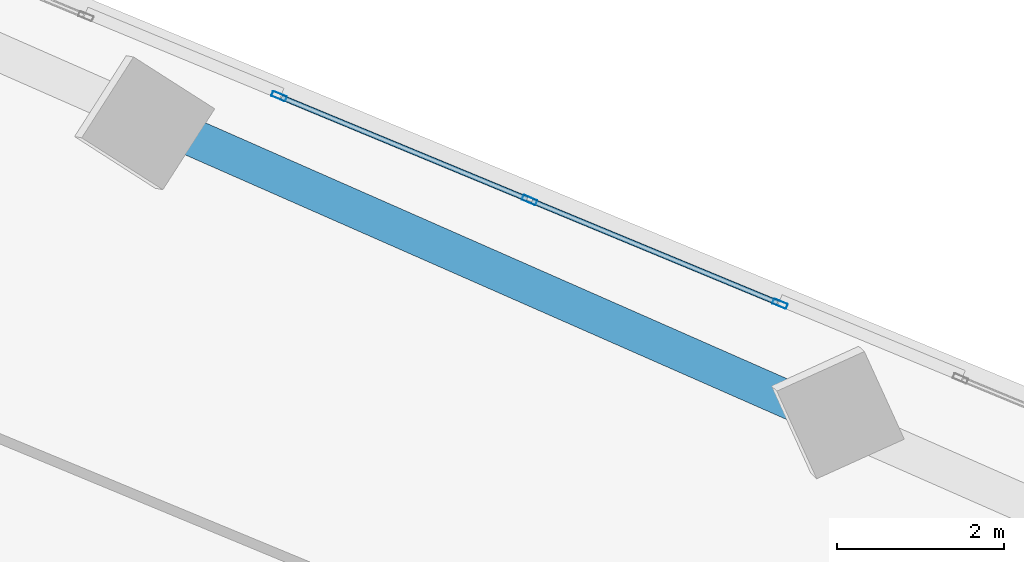
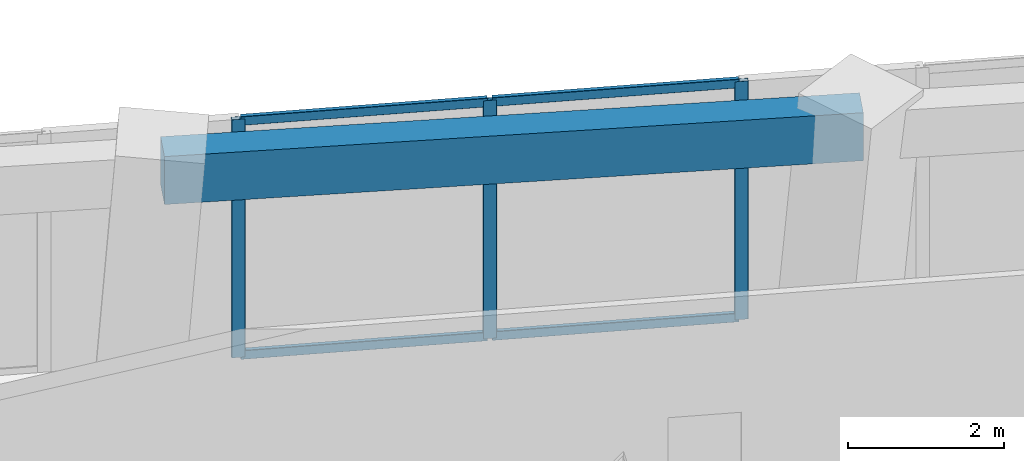
# One storey, part 14 of 23: 7 members, 1 beam, 1 element without a shape of its own.
"""IFC4 building model written with IfcOpenShell, lengths in metres."""

from ifc_helpers import new_model, si_unit, direction, frame, origin, origin_2d, place, context, subcontext, project, spatial, rectangle, hollow_rectangle, extrude, source, transform, mapped, material, material_profile, profile_set, type_object, element, aggregate, save


model = new_model("IFC4")

# Units and contexts
model_context = context("Model", 3, precision=1e-05, world=origin(), true_north=direction((0.0, 1.0)))
body_context = subcontext(model_context, "Body", "Model", "MODEL_VIEW")
ifc_project = project(units=[si_unit("LENGTHUNIT", "METRE"), si_unit("AREAUNIT", "SQUARE_METRE"), si_unit("VOLUMEUNIT", "CUBIC_METRE"), si_unit("PLANEANGLEUNIT", "RADIAN"), si_unit("MASSUNIT", "GRAM", prefix="KILO")], contexts=[model_context])

# Site, building, storey
site_placement = place(None, origin())
site = spatial("IfcSite", under=ifc_project, at=site_placement, CompositionType="ELEMENT")
building_placement = place(site_placement, origin())
building = spatial("IfcBuilding", under=site, at=building_placement, Name="Torre Montelarca", CompositionType="ELEMENT")
storey_placement = place(building_placement, frame((0.0, 0.0, 145.60009765625)))
storey = spatial("IfcBuildingStorey", under=building, at=storey_placement, Name="L32", CompositionType="ELEMENT", Elevation=145.60009765625)

# Beam
ifc_material_1 = material(Name="Concrete C55/67", Category="concrete")
ifc_material_profile_1 = material_profile(ifc_material_1, rectangle(XDim=0.449951171875, YDim=0.75, at=origin_2d()), Name="RCB450X750", Category="concrete")
ifc_profile_set_1 = profile_set([ifc_material_profile_1], Name="Concrete C55/67")
beam_type = type_object("IfcBeamType", Name="BM-SP-RC750-EXT", PredefinedType="SPANDREL", material=ifc_profile_set_1)
shared_shape_1 = source(origin(), body_context, "Body", "SweptSolid", [
    extrude(rectangle(XDim=0.449951171875, YDim=0.75, at=origin_2d()), origin(), (0.0, 0.0, 1.0), 9.0),
])
beam_placement = place(storey_placement, frame((24.39794921875, 47.276611328125, 3.5849609375), z_axis=(0.915309832452, -0.402750432174, 0.0), x_axis=(0.402750432174, 0.915309832452, 0.0)))
element("IfcBeam", 1, at=beam_placement, inside=storey, type_object=beam_type, Name="L32 Grid Girder X 18.0-27.0 at Y=47.1", PredefinedType="SPANDREL", context=body_context, shape_type="MappedRepresentation", body=[
    mapped(shared_shape_1, transform((0.0, 0.0, 0.0), scale=1.0)),
])

# Curtain wall, members
ifc_material_2 = material(Name="Insulated low-E laminated glass", Category="glass")
curtain_wall_type = type_object("IfcCurtainWallType", Name="CW-SYS-Z2", PredefinedType="USERDEFINED", material=ifc_material_2)
curtain_wall_placement = place(storey_placement, origin())
curtain_wall = element("IfcCurtainWall", 2, at=curtain_wall_placement, inside=storey, type_object=curtain_wall_type, Name="L32 Curtain Wall Run CW-T3-L32-E08-B3", ObjectType="UNITISED GLAZING", PredefinedType="USERDEFINED")
ifc_material_3 = material(Name="Anodised aluminium AA 6063-T6", Category="aluminium")
ifc_material_profile_2 = material_profile(ifc_material_3, hollow_rectangle(XDim=0.06494140625, YDim=0.179931640625, WallThickness=0.00390625, InnerFilletRadius=0.00390625, OuterFilletRadius=0.008056640625, at=origin_2d()), Name="ALU65X180X4", Category="aluminium")
ifc_profile_set_2 = profile_set([ifc_material_profile_2], Name="Anodised aluminium AA 6063-T6")
member_type_1 = type_object("IfcMemberType", Name="CWM-ALU180", PredefinedType="MULLION", material=ifc_profile_set_2)
shared_shape_2 = source(origin(), body_context, "Body", "SweptSolid", [
    extrude(hollow_rectangle(XDim=0.06494140625, YDim=0.179931640625, WallThickness=0.00390625, InnerFilletRadius=0.00390625, OuterFilletRadius=0.008056640625, at=origin_2d()), origin(), (0.0, 0.0, 1.0), 3.719970703125),
])
member_1_placement = place(storey_placement, frame((31.726318359375, 45.158203125, 0.0), z_axis=(0.0, 0.0, 1.0), x_axis=(-0.382679908026, -0.923880992332, 0.0)))
member_1 = element("IfcMember", 3, at=member_1_placement, type_object=member_type_1, Name="CW mullion 1", PredefinedType="MULLION", context=body_context, shape_type="MappedRepresentation", body=[
    mapped(shared_shape_2, transform((0.0, 0.0, 0.0), scale=1.0)),
])
member_2_placement = place(storey_placement, frame((28.7265625, 46.400634765625, 0.0), z_axis=(0.0, 0.0, 1.0), x_axis=(-0.382679908026, -0.923880992332, 0.0)))
member_2 = element("IfcMember", 4, at=member_2_placement, type_object=member_type_1, Name="CW mullion 2", PredefinedType="MULLION", context=body_context, shape_type="MappedRepresentation", body=[
    mapped(shared_shape_2, transform((0.0, 0.0, 0.0), scale=1.0)),
])
member_3_placement = place(storey_placement, frame((25.726806640625, 47.64306640625, 0.0), z_axis=(0.0, 0.0, 1.0), x_axis=(-0.382679908026, -0.923880992332, 0.0)))
member_3 = element("IfcMember", 5, at=member_3_placement, type_object=member_type_1, Name="CW mullion 3", PredefinedType="MULLION", context=body_context, shape_type="MappedRepresentation", body=[
    mapped(shared_shape_2, transform((0.0, 0.0, 0.0), scale=1.0)),
])
ifc_material_profile_3 = material_profile(ifc_material_3, hollow_rectangle(XDim=0.06494140625, YDim=0.139892578125, WallThickness=0.00390625, InnerFilletRadius=0.00390625, OuterFilletRadius=0.008056640625, at=origin_2d()), Name="ALU65X140X4", Category="aluminium")
ifc_profile_set_3 = profile_set([ifc_material_profile_3], Name="Anodised aluminium AA 6063-T6")
member_type_2 = type_object("IfcMemberType", Name="CWT-ALU140", PredefinedType="USERDEFINED", material=ifc_profile_set_3)
shared_shape_3 = source(origin(), body_context, "Body", "SweptSolid", [
    extrude(hollow_rectangle(XDim=0.06494140625, YDim=0.139892578125, WallThickness=0.00390625, InnerFilletRadius=0.00390625, OuterFilletRadius=0.008056640625, at=origin_2d()), origin(), (0.0, 0.0, 1.0), 3.181884765625),
])
member_4_placement = place(storey_placement, frame((31.6962890625, 45.170654296875, 0.032470703125), z_axis=(-0.923894330164, 0.382647705716, 0.0), x_axis=(-0.382647705716, -0.923894330164, 0.0)))
member_4 = element("IfcMember", 6, at=member_4_placement, type_object=member_type_2, Name="CW transom 1.1", ObjectType="TRANSOM", PredefinedType="USERDEFINED", context=body_context, shape_type="MappedRepresentation", body=[
    mapped(shared_shape_3, transform((0.0, 0.0, 0.0), scale=1.0)),
])
member_5_placement = place(storey_placement, frame((31.6962890625, 45.170654296875, 3.6875), z_axis=(-0.923894330164, 0.382647705716, 0.0), x_axis=(-0.382647705716, -0.923894330164, 0.0)))
member_5 = element("IfcMember", 7, at=member_5_placement, type_object=member_type_2, Name="CW transom 1.2", ObjectType="TRANSOM", PredefinedType="USERDEFINED", context=body_context, shape_type="MappedRepresentation", body=[
    mapped(shared_shape_3, transform((0.0, 0.0, 0.0), scale=1.0)),
])
member_6_placement = place(storey_placement, frame((28.696533203125, 46.4130859375, 0.032470703125), z_axis=(-0.923894330164, 0.382647705716, 0.0), x_axis=(-0.382647705716, -0.923894330164, 0.0)))
member_6 = element("IfcMember", 8, at=member_6_placement, type_object=member_type_2, Name="CW transom 2.1", ObjectType="TRANSOM", PredefinedType="USERDEFINED", context=body_context, shape_type="MappedRepresentation", body=[
    mapped(shared_shape_3, transform((0.0, 0.0, 0.0), scale=1.0)),
])
member_7_placement = place(storey_placement, frame((28.696533203125, 46.4130859375, 3.6875), z_axis=(-0.923894330164, 0.382647705716, 0.0), x_axis=(-0.382647705716, -0.923894330164, 0.0)))
member_7 = element("IfcMember", 9, at=member_7_placement, type_object=member_type_2, Name="CW transom 2.2", ObjectType="TRANSOM", PredefinedType="USERDEFINED", context=body_context, shape_type="MappedRepresentation", body=[
    mapped(shared_shape_3, transform((0.0, 0.0, 0.0), scale=1.0)),
])
aggregate(curtain_wall, [member_1, member_2, member_3, member_4, member_5, member_6, member_7])

save(model, "model.ifc")
